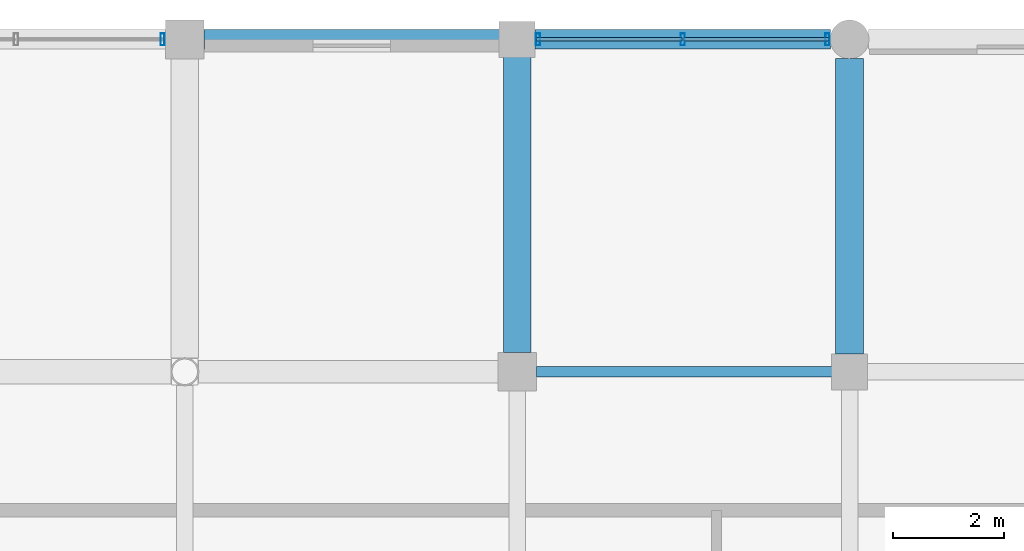
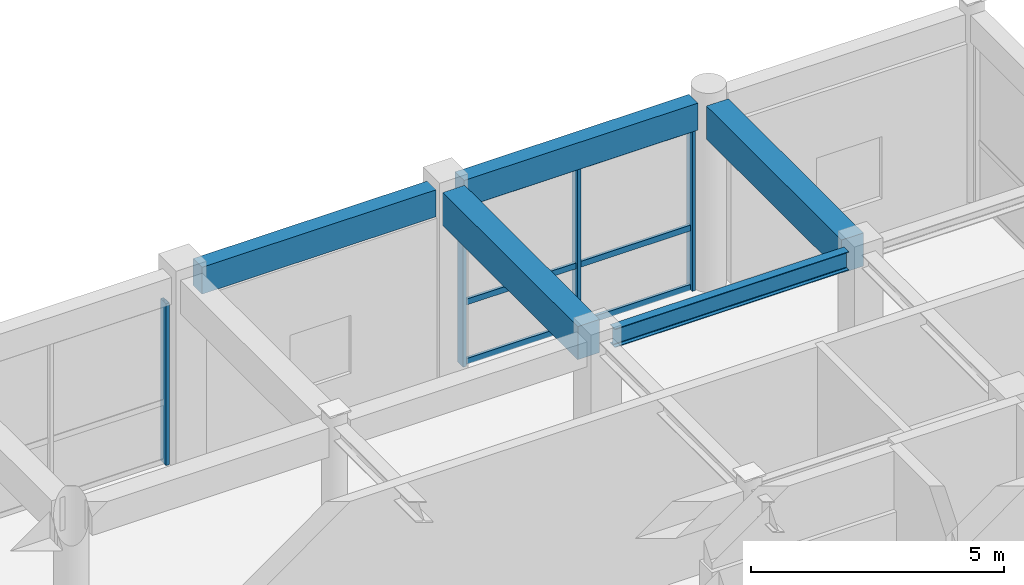
# One storey, part 80 of 112: 10 members, 5 beams, 2 elements without a shape of their own.
"""IFC4 building model written with IfcOpenShell, lengths in metres."""

from ifc_helpers import new_model, si_unit, direction, frame, origin, origin_2d, place, context, subcontext, project, spatial, rectangle, hollow_rectangle, i_section, extrude, material, material_profile, profile_set, type_object, element, aggregate, save


model = new_model("IFC4")

# Units and contexts
model_context = context("Model", 3, precision=1e-05, world=origin(), true_north=direction((0.0, 1.0)))
body_context = subcontext(model_context, "Body", "Model", "MODEL_VIEW")
ifc_project = project(units=[si_unit("LENGTHUNIT", "METRE"), si_unit("AREAUNIT", "SQUARE_METRE"), si_unit("VOLUMEUNIT", "CUBIC_METRE"), si_unit("PLANEANGLEUNIT", "RADIAN"), si_unit("MASSUNIT", "GRAM", prefix="KILO"), si_unit("THERMODYNAMICTEMPERATUREUNIT", "KELVIN"), si_unit("POWERUNIT", "WATT")], contexts=[model_context])

# Site, building, storey
site_placement = place(None, origin())
site = spatial("IfcSite", under=ifc_project, at=site_placement, CompositionType="ELEMENT")
building_placement = place(site_placement, origin())
building = spatial("IfcBuilding", under=site, at=building_placement, Name="Phaisarnlok Congress Hotel", CompositionType="ELEMENT")
storey_placement = place(building_placement, frame((0.0, 0.0, 19.800048828125)))
storey = spatial("IfcBuildingStorey", under=building, at=storey_placement, Name="L04", CompositionType="ELEMENT", Elevation=19.800048828125)

# Beams
ifc_material_1 = material(Name="Concrete C40/50", Category="concrete")
ifc_material_profile_1 = material_profile(ifc_material_1, rectangle(XDim=0.5, YDim=0.800048828125, at=origin_2d()), Name="RC 500x800")
ifc_profile_set_1 = profile_set([ifc_material_profile_1], Name="Concrete C40/50")
beam_type_1 = type_object("IfcBeamType", Name="BM-RC-500x800", PredefinedType="BEAM", material=ifc_profile_set_1)
for number, where, z_axis, x_axis, name in (
    (1, (168.0, 120.344970703125, 4.14990234375), (0.0, 1.0, 0.0), (-1.0, 0.0, 0.0), "Beam B-04"),
    (2, (174.0, 120.320068359375, 4.14990234375), (0.0, 1.0, 0.0), (-1.0, 0.0, 0.0), "Beam B-04"),
):
    element("IfcBeam", number, at=place(storey_placement, frame(where, z_axis=z_axis, x_axis=x_axis)), inside=storey, type_object=beam_type_1, Name=name, PredefinedType="BEAM", context=body_context, shape_type="SweptSolid", body=[
        extrude(rectangle(XDim=0.5, YDim=0.800048828125, at=origin_2d()), origin(), (0.0, 0.0, 1.0), 5.3349609375),
    ])
ifc_material_2 = material(Name="Steel S355", Category="steel")
ifc_material_profile_2 = material_profile(ifc_material_2, i_section(OverallWidth=0.18994140625, OverallDepth=0.449951171875, WebThickness=0.009521484375, FlangeThickness=0.0146484375, FilletRadius=0.02099609375, at=origin_2d()), Name="IPE 450")
ifc_profile_set_2 = profile_set([ifc_material_profile_2], Name="Steel S355")
beam_type_2 = type_object("IfcBeamType", Name="BM-STL-IPE450", PredefinedType="BEAM", material=ifc_profile_set_2)
beam_placement = place(storey_placement, frame((168.344970703125, 120.0, 4.324951171875), z_axis=(1.0, 0.0, 0.0), x_axis=(0.0, 1.0, 0.0)))
element("IfcBeam", 3, at=beam_placement, inside=storey, type_object=beam_type_2, Name="Beam SB-01", PredefinedType="BEAM", context=body_context, shape_type="SweptSolid", body=[
    extrude(i_section(OverallWidth=0.18994140625, OverallDepth=0.449951171875, WebThickness=0.009521484375, FlangeThickness=0.0146484375, FilletRadius=0.02099609375, at=origin_2d()), origin(), (0.0, 0.0, 1.0), 5.3349609375),
])

# Curtain wall, members
ifc_material_3 = material(Name="Thermally Broken Unitised Aluminium & Low-E Glazing", Category="aluminium")
curtain_wall_type_1 = type_object("IfcCurtainWallType", Name="CW-UNIT-33", PredefinedType="NOTDEFINED", material=ifc_material_3)
curtain_wall_1_placement = place(storey_placement, origin())
curtain_wall_1 = element("IfcCurtainWall", 4, at=curtain_wall_1_placement, inside=storey, type_object=curtain_wall_type_1, Name="Unitised curtain wall CW-33 (L04)", PredefinedType="NOTDEFINED")
ifc_material_4 = material(Name="Anodised Aluminium Alloy 6063-T6", Category="aluminium")
ifc_material_profile_3 = material_profile(ifc_material_4, hollow_rectangle(XDim=0.074951171875, YDim=0.219970703125, WallThickness=0.0048828125, at=origin_2d()), Name="ALU-M 75x220x5")
ifc_profile_set_3 = profile_set([ifc_material_profile_3], Name="Anodised Aluminium Alloy 6063-T6")
member_type_1 = type_object("IfcMemberType", Name="CWM-220", PredefinedType="MULLION", material=ifc_profile_set_3)
member_1_placement = place(storey_placement, frame((173.60009765625, 126.0, 0.0), z_axis=(0.0, 0.0, 1.0), x_axis=(-1.0, 0.0, 0.0)))
member_1 = element("IfcMember", 5, at=member_1_placement, type_object=member_type_1, Name="Curtain wall mullion CWM-02", PredefinedType="MULLION", context=body_context, shape_type="SweptSolid", body=[
    extrude(hollow_rectangle(XDim=0.074951171875, YDim=0.219970703125, WallThickness=0.0048828125, at=origin_2d()), origin(), (0.0, 0.0, 1.0), 3.89990234375),
])
member_2_placement = place(storey_placement, frame((170.987548828125, 126.0, 0.0), z_axis=(0.0, 0.0, 1.0), x_axis=(-1.0, 0.0, 0.0)))
member_2 = element("IfcMember", 6, at=member_2_placement, type_object=member_type_1, Name="Curtain wall mullion CWM-02", PredefinedType="MULLION", context=body_context, shape_type="SweptSolid", body=[
    extrude(hollow_rectangle(XDim=0.074951171875, YDim=0.219970703125, WallThickness=0.0048828125, at=origin_2d()), origin(), (0.0, 0.0, 1.0), 3.89990234375),
])
member_3_placement = place(storey_placement, frame((168.375, 126.0, 0.0), z_axis=(0.0, 0.0, 1.0), x_axis=(-1.0, 0.0, 0.0)))
member_3 = element("IfcMember", 7, at=member_3_placement, type_object=member_type_1, Name="Curtain wall mullion CWM-02", PredefinedType="MULLION", context=body_context, shape_type="SweptSolid", body=[
    extrude(hollow_rectangle(XDim=0.074951171875, YDim=0.219970703125, WallThickness=0.0048828125, at=origin_2d()), origin(), (0.0, 0.0, 1.0), 3.89990234375),
])

# Curtain wall, member
curtain_wall_type_2 = type_object("IfcCurtainWallType", Name="CW-UNIT-34", PredefinedType="NOTDEFINED", material=ifc_material_3)
curtain_wall_2_placement = place(storey_placement, origin())
curtain_wall_2 = element("IfcCurtainWall", 8, at=curtain_wall_2_placement, inside=storey, type_object=curtain_wall_type_2, Name="Unitised curtain wall CW-34 (L04)", PredefinedType="NOTDEFINED")
member_4_placement = place(storey_placement, frame((161.60009765625, 126.0, 0.0), z_axis=(0.0, 0.0, 1.0), x_axis=(-1.0, 0.0, 0.0)))
member_4 = element("IfcMember", 9, at=member_4_placement, type_object=member_type_1, Name="Curtain wall mullion CWM-02", PredefinedType="MULLION", context=body_context, shape_type="SweptSolid", body=[
    extrude(hollow_rectangle(XDim=0.074951171875, YDim=0.219970703125, WallThickness=0.0048828125, at=origin_2d()), origin(), (0.0, 0.0, 1.0), 3.89990234375),
])
aggregate(curtain_wall_2, [member_4])

# Member
ifc_material_profile_4 = material_profile(ifc_material_4, hollow_rectangle(XDim=0.06494140625, YDim=0.139892578125, WallThickness=0.00390625, at=origin_2d()), Name="ALU-T 65x140x4")
ifc_profile_set_4 = profile_set([ifc_material_profile_4], Name="Anodised Aluminium Alloy 6063-T6")
member_type_2 = type_object("IfcMemberType", Name="CWT-150", PredefinedType="USERDEFINED", material=ifc_profile_set_4)
member_5_placement = place(storey_placement, frame((173.625, 126.0, 0.050048828125), z_axis=(-1.0, 0.0, 0.0), x_axis=(0.0, -1.0, 0.0)))
member_5 = element("IfcMember", 10, at=member_5_placement, type_object=member_type_2, Name="Curtain wall transom CWT-01", ObjectType="TRANSOM", PredefinedType="USERDEFINED", context=body_context, shape_type="SweptSolid", body=[
    extrude(hollow_rectangle(XDim=0.06494140625, YDim=0.139892578125, WallThickness=0.00390625, at=origin_2d()), origin(), (0.0, 0.0, 1.0), 2.62255859375),
])

member_6_placement = place(storey_placement, frame((173.625, 126.0, 1.48193359375), z_axis=(-1.0, 0.0, 0.0), x_axis=(0.0, -1.0, 0.0)))
member_6 = element("IfcMember", 11, at=member_6_placement, type_object=member_type_2, Name="Curtain wall transom CWT-01", ObjectType="TRANSOM", PredefinedType="USERDEFINED", context=body_context, shape_type="SweptSolid", body=[
    extrude(hollow_rectangle(XDim=0.06494140625, YDim=0.139892578125, WallThickness=0.00390625, at=origin_2d()), origin(), (0.0, 0.0, 1.0), 2.62255859375),
])

member_7_placement = place(storey_placement, frame((173.625, 126.0, 3.849853515625), z_axis=(-1.0, 0.0, 0.0), x_axis=(0.0, -1.0, 0.0)))
member_7 = element("IfcMember", 12, at=member_7_placement, type_object=member_type_2, Name="Curtain wall transom CWT-01", ObjectType="TRANSOM", PredefinedType="USERDEFINED", context=body_context, shape_type="SweptSolid", body=[
    extrude(hollow_rectangle(XDim=0.06494140625, YDim=0.139892578125, WallThickness=0.00390625, at=origin_2d()), origin(), (0.0, 0.0, 1.0), 2.62255859375),
])

member_8_placement = place(storey_placement, frame((170.972412109375, 126.0, 0.050048828125), z_axis=(-1.0, 0.0, 0.0), x_axis=(0.0, -1.0, 0.0)))
member_8 = element("IfcMember", 13, at=member_8_placement, type_object=member_type_2, Name="Curtain wall transom CWT-01", ObjectType="TRANSOM", PredefinedType="USERDEFINED", context=body_context, shape_type="SweptSolid", body=[
    extrude(hollow_rectangle(XDim=0.06494140625, YDim=0.139892578125, WallThickness=0.00390625, at=origin_2d()), origin(), (0.0, 0.0, 1.0), 2.622314453125),
])

member_9_placement = place(storey_placement, frame((170.972412109375, 126.0, 1.48193359375), z_axis=(-1.0, 0.0, 0.0), x_axis=(0.0, -1.0, 0.0)))
member_9 = element("IfcMember", 14, at=member_9_placement, type_object=member_type_2, Name="Curtain wall transom CWT-01", ObjectType="TRANSOM", PredefinedType="USERDEFINED", context=body_context, shape_type="SweptSolid", body=[
    extrude(hollow_rectangle(XDim=0.06494140625, YDim=0.139892578125, WallThickness=0.00390625, at=origin_2d()), origin(), (0.0, 0.0, 1.0), 2.622314453125),
])

member_10_placement = place(storey_placement, frame((170.972412109375, 126.0, 3.849853515625), z_axis=(-1.0, 0.0, 0.0), x_axis=(0.0, -1.0, 0.0)))
member_10 = element("IfcMember", 15, at=member_10_placement, type_object=member_type_2, Name="Curtain wall transom CWT-01", ObjectType="TRANSOM", PredefinedType="USERDEFINED", context=body_context, shape_type="SweptSolid", body=[
    extrude(hollow_rectangle(XDim=0.06494140625, YDim=0.139892578125, WallThickness=0.00390625, at=origin_2d()), origin(), (0.0, 0.0, 1.0), 2.622314453125),
])

aggregate(curtain_wall_1, [member_1, member_2, member_3, member_5, member_6, member_7, member_8, member_9, member_10])

# Beams
ifc_material_profile_5 = material_profile(ifc_material_1, rectangle(XDim=0.35009765625, YDim=0.64990234375, at=origin_2d()), Name="RC 350x650")
ifc_profile_set_5 = profile_set([ifc_material_profile_5], Name="Concrete C40/50")
beam_type_3 = type_object("IfcBeamType", Name="SP-RC-350x650", PredefinedType="SPANDREL", material=ifc_profile_set_5)
for number, where, z_axis, x_axis, name in (
    (16, (162.344970703125, 126.0, 4.224853515625), (1.0, 0.0, 0.0), (0.0, 1.0, 0.0), "Beam SP-01"),
    (17, (168.320068359375, 126.0, 4.224853515625), (1.0, 0.0, 0.0), (0.0, 1.0, 0.0), "Beam SP-01"),
):
    element("IfcBeam", number, at=place(storey_placement, frame(where, z_axis=z_axis, x_axis=x_axis)), inside=storey, type_object=beam_type_3, Name=name, PredefinedType="SPANDREL", context=body_context, shape_type="SweptSolid", body=[
        extrude(rectangle(XDim=0.35009765625, YDim=0.64990234375, at=origin_2d()), origin(), (0.0, 0.0, 1.0), 5.3349609375),
    ])

save(model, "model.ifc")
